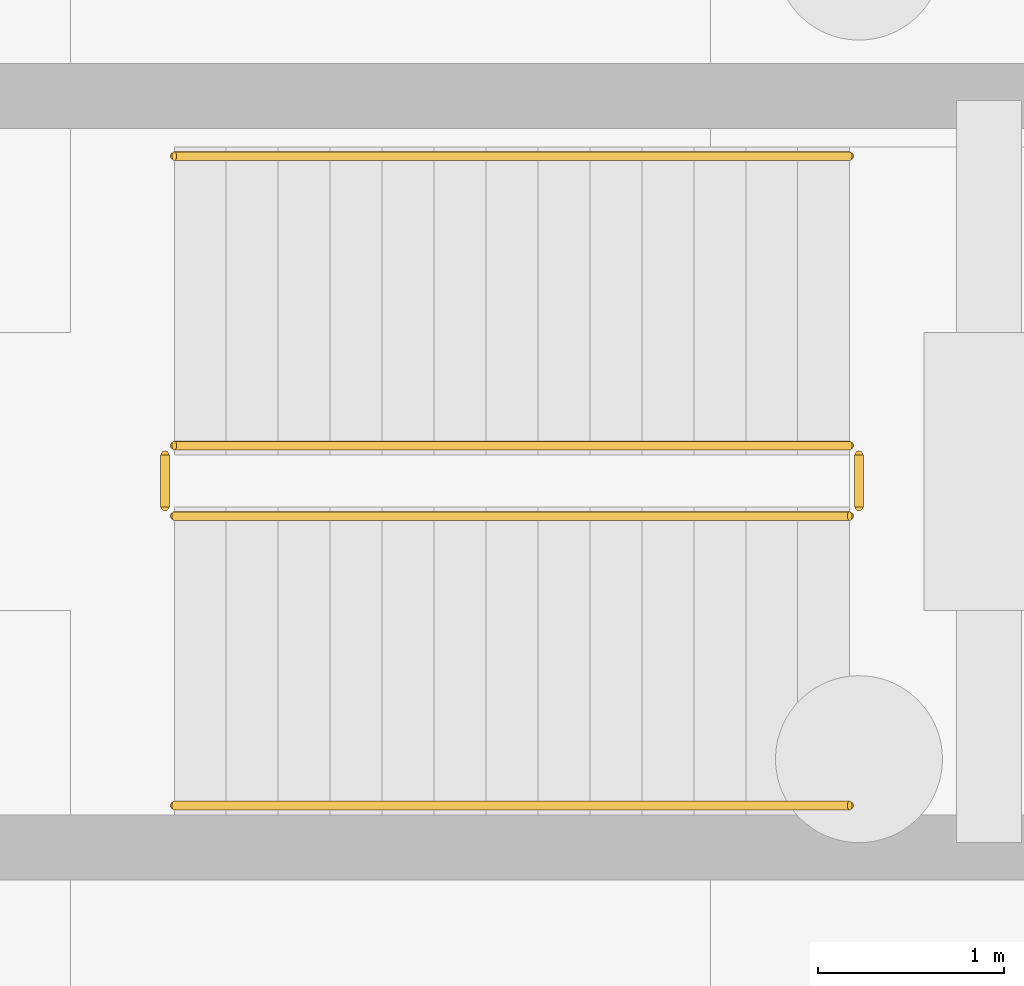
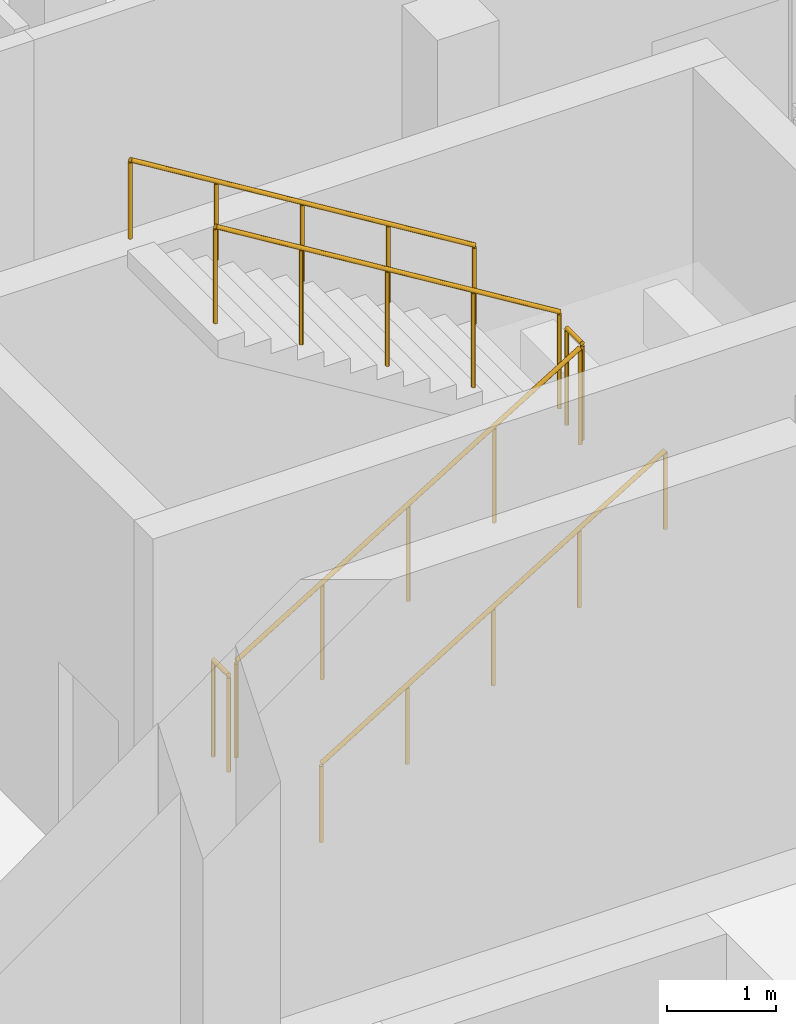
# One storey, part 25 of 29: 6 railings.
"""IFC4 building model written with IfcOpenShell, lengths in metres."""

from ifc_helpers import new_model, si_unit, direction, frame, origin, origin_2d, place, context, subcontext, project, spatial, circle, extrude, material, type_object, element, save


model = new_model("IFC4")

# Units and contexts
model_context = context("Model", 3, precision=1e-05, world=origin(), true_north=direction((0.0, 1.0)))
body_context = subcontext(model_context, "Body", "Model", "MODEL_VIEW")
ifc_project = project(units=[si_unit("LENGTHUNIT", "METRE"), si_unit("AREAUNIT", "SQUARE_METRE"), si_unit("VOLUMEUNIT", "CUBIC_METRE"), si_unit("PLANEANGLEUNIT", "RADIAN"), si_unit("MASSUNIT", "GRAM", prefix="KILO")], contexts=[model_context])

# Site, building, storey
site_placement = place(None, origin())
site = spatial("IfcSite", under=ifc_project, at=site_placement, CompositionType="ELEMENT")
building_placement = place(site_placement, origin())
building = spatial("IfcBuilding", under=site, at=building_placement, Name="Kelarvand Opera House", CompositionType="ELEMENT")
storey_placement = place(building_placement, frame((0.0, 0.0, -9.60009765625)))
storey = spatial("IfcBuildingStorey", under=building, at=storey_placement, Name="B2", CompositionType="ELEMENT", Elevation=-9.60009765625)

# Railings
ifc_material_1 = material(Name="Brushed bronze tubular rail")
railing_type_1 = type_object("IfcRailingType", Name="Brushed Bronze Stair Wall Handrail 900", PredefinedType="HANDRAIL", material=ifc_material_1)
railing_1_placement = place(storey_placement, frame((117.659912109375, 11.050048828125, 0.171630859375)))
element("IfcRailing", 1, at=railing_1_placement, inside=storey, type_object=railing_type_1, Name="B2 ST-08 stair handrail 1", PredefinedType="HANDRAIL", context=body_context, shape_type="SweptSolid", body=[
    extrude(circle(Radius=0.02392578125, at=origin_2d()), frame((0.0, 0.0, 0.8759765625), z_axis=(0.852865859571, 0.0, 0.52213008492), x_axis=(0.0, 1.0, 0.0)), (0.0, 0.0, 1.0), 4.26806640625),
    extrude(circle(Radius=0.02099609375, at=origin_2d()), origin(), (0.0, 0.0, 1.0), 0.851806640625),
    extrude(circle(Radius=0.02099609375, at=origin_2d()), frame((0.91015625, 0.0, 0.55712890625)), (0.0, 0.0, 1.0), 0.851806640625),
    extrude(circle(Radius=0.02099609375, at=origin_2d()), frame((1.820068359375, 0.0, 1.1142578125)), (0.0, 0.0, 1.0), 0.851806640625),
    extrude(circle(Radius=0.02099609375, at=origin_2d()), frame((2.72998046875, 0.0, 1.67138671875)), (0.0, 0.0, 1.0), 0.851806640625),
    extrude(circle(Radius=0.02099609375, at=origin_2d()), frame((3.64013671875, 0.0, 2.228515625)), (0.0, 0.0, 1.0), 0.851806640625),
])
railing_2_placement = place(storey_placement, frame((121.300048828125, 14.550048828125, 2.571533203125)))
element("IfcRailing", 2, at=railing_2_placement, inside=storey, type_object=railing_type_1, Name="B2 ST-08 stair handrail 2", PredefinedType="HANDRAIL", context=body_context, shape_type="SweptSolid", body=[
    extrude(circle(Radius=0.02392578125, at=origin_2d()), frame((0.0, 0.0, 0.8759765625), z_axis=(-0.852865859571, 0.0, 0.52213008492), x_axis=(0.0, -1.0, 0.0)), (0.0, 0.0, 1.0), 4.26806640625),
    extrude(circle(Radius=0.02099609375, at=origin_2d()), origin(), (0.0, 0.0, 1.0), 0.851806640625),
    extrude(circle(Radius=0.02099609375, at=origin_2d()), frame((-0.91015625, 0.0, 0.55712890625)), (0.0, 0.0, 1.0), 0.851806640625),
    extrude(circle(Radius=0.02099609375, at=origin_2d()), frame((-1.820068359375, 0.0, 1.1142578125)), (0.0, 0.0, 1.0), 0.851806640625),
    extrude(circle(Radius=0.02099609375, at=origin_2d()), frame((-2.72998046875, 0.0, 1.67138671875)), (0.0, 0.0, 1.0), 0.851806640625),
    extrude(circle(Radius=0.02099609375, at=origin_2d()), frame((-3.64013671875, 0.0, 2.228515625)), (0.0, 0.0, 1.0), 0.851806640625),
])
ifc_material_2 = material(Name="Powder-coated Steel S355", Category="steel")
railing_type_2 = type_object("IfcRailingType", Name="Painted Steel Stair and Void Guardrail 1100", PredefinedType="GUARDRAIL", material=ifc_material_2)
railing_3_placement = place(storey_placement, frame((117.659912109375, 12.610107421875, 0.171630859375)))
element("IfcRailing", 3, at=railing_3_placement, inside=storey, type_object=railing_type_2, Name="B2 ST-08 stair guard 1", PredefinedType="GUARDRAIL", context=body_context, shape_type="SweptSolid", body=[
    extrude(circle(Radius=0.02392578125, at=origin_2d()), frame((0.0, 0.0, 1.076171875), z_axis=(0.852865859571, 0.0, 0.52213008492), x_axis=(0.0, 1.0, 0.0)), (0.0, 0.0, 1.0), 4.26806640625),
    extrude(circle(Radius=0.02099609375, at=origin_2d()), origin(), (0.0, 0.0, 1.0), 1.052001953125),
    extrude(circle(Radius=0.02099609375, at=origin_2d()), frame((0.91015625, 0.0, 0.55712890625)), (0.0, 0.0, 1.0), 1.052001953125),
    extrude(circle(Radius=0.02099609375, at=origin_2d()), frame((1.820068359375, 0.0, 1.1142578125)), (0.0, 0.0, 1.0), 1.052001953125),
    extrude(circle(Radius=0.02099609375, at=origin_2d()), frame((2.72998046875, 0.0, 1.67138671875)), (0.0, 0.0, 1.0), 1.052001953125),
    extrude(circle(Radius=0.02099609375, at=origin_2d()), frame((3.64013671875, 0.0, 2.228515625)), (0.0, 0.0, 1.0), 1.052001953125),
])
railing_4_placement = place(storey_placement, frame((121.35009765625, 12.659912109375, 2.400146484375)))
element("IfcRailing", 4, at=railing_4_placement, inside=storey, type_object=railing_type_2, Name="B2 ST-08 stair guard 2", PredefinedType="GUARDRAIL", context=body_context, shape_type="SweptSolid", body=[
    extrude(circle(Radius=0.02392578125, at=origin_2d()), frame((0.0, 0.0, 1.076171875), z_axis=(0.0, 1.0, 0.0), x_axis=(-1.0, 0.0, 0.0)), (0.0, 0.0, 1.0), 0.280029296875),
    extrude(circle(Radius=0.02099609375, at=origin_2d()), origin(), (0.0, 0.0, 1.0), 1.052001953125),
    extrude(circle(Radius=0.02099609375, at=origin_2d()), frame((0.0, 0.280029296875, 0.0)), (0.0, 0.0, 1.0), 1.052001953125),
])
railing_5_placement = place(storey_placement, frame((121.300048828125, 12.989990234375, 2.571533203125)))
element("IfcRailing", 5, at=railing_5_placement, inside=storey, type_object=railing_type_2, Name="B2 ST-08 stair guard 3", PredefinedType="GUARDRAIL", context=body_context, shape_type="SweptSolid", body=[
    extrude(circle(Radius=0.02392578125, at=origin_2d()), frame((0.0, 0.0, 1.076171875), z_axis=(-0.852865859571, 0.0, 0.52213008492), x_axis=(0.0, -1.0, 0.0)), (0.0, 0.0, 1.0), 4.26806640625),
    extrude(circle(Radius=0.02099609375, at=origin_2d()), origin(), (0.0, 0.0, 1.0), 1.052001953125),
    extrude(circle(Radius=0.02099609375, at=origin_2d()), frame((-0.91015625, 0.0, 0.55712890625)), (0.0, 0.0, 1.0), 1.052001953125),
    extrude(circle(Radius=0.02099609375, at=origin_2d()), frame((-1.820068359375, 0.0, 1.1142578125)), (0.0, 0.0, 1.0), 1.052001953125),
    extrude(circle(Radius=0.02099609375, at=origin_2d()), frame((-2.72998046875, 0.0, 1.67138671875)), (0.0, 0.0, 1.0), 1.052001953125),
    extrude(circle(Radius=0.02099609375, at=origin_2d()), frame((-3.64013671875, 0.0, 2.228515625)), (0.0, 0.0, 1.0), 1.052001953125),
])
railing_6_placement = place(storey_placement, frame((117.610107421875, 12.659912109375, 0.0)))
element("IfcRailing", 6, at=railing_6_placement, inside=storey, type_object=railing_type_2, Name="B2 ST-08 stair guard 4", PredefinedType="GUARDRAIL", context=body_context, shape_type="SweptSolid", body=[
    extrude(circle(Radius=0.02392578125, at=origin_2d()), frame((0.0, 0.0, 1.076171875), z_axis=(0.0, 1.0, 0.0), x_axis=(-1.0, 0.0, 0.0)), (0.0, 0.0, 1.0), 0.280029296875),
    extrude(circle(Radius=0.02099609375, at=origin_2d()), origin(), (0.0, 0.0, 1.0), 1.052001953125),
    extrude(circle(Radius=0.02099609375, at=origin_2d()), frame((0.0, 0.280029296875, 0.0)), (0.0, 0.0, 1.0), 1.052001953125),
])

save(model, "model.ifc")
